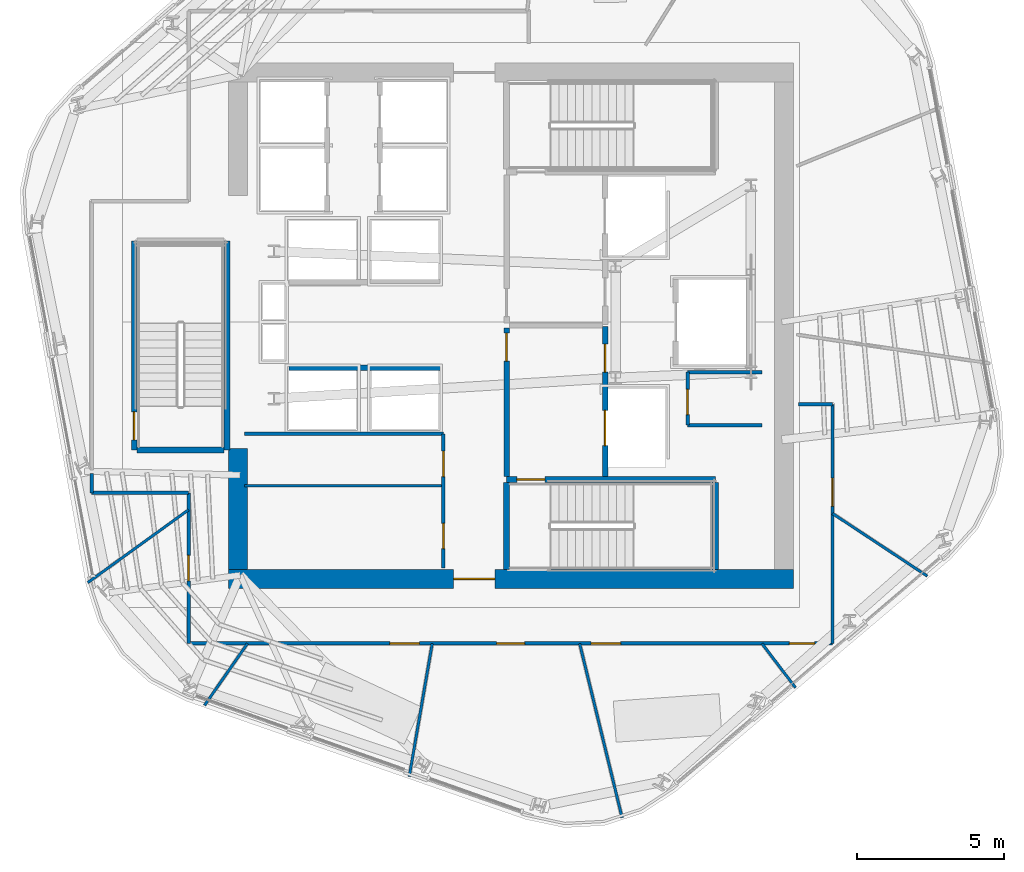
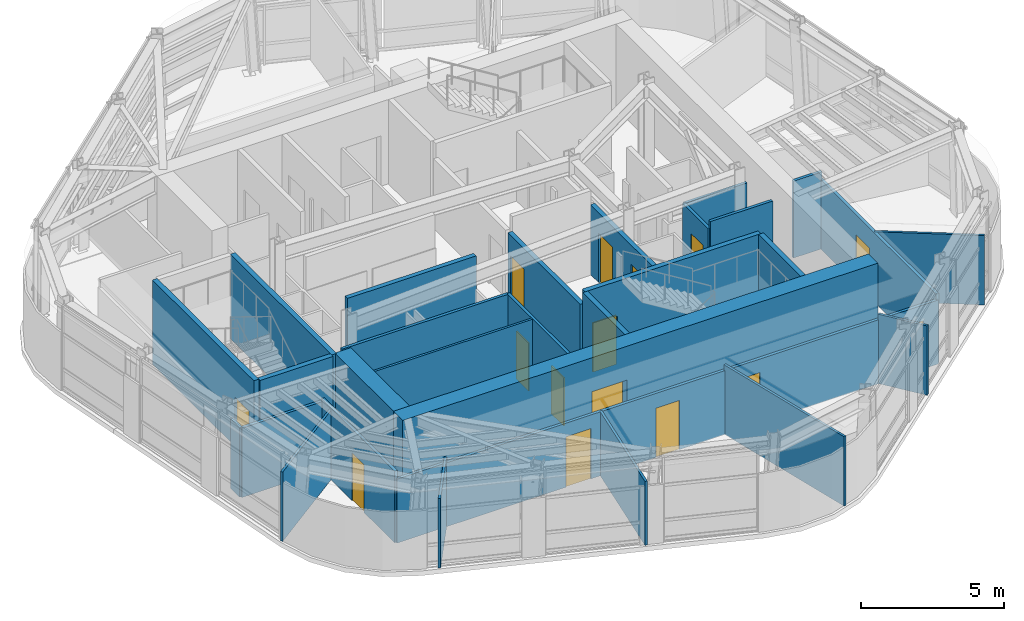
# One storey, part 7 of 14: 29 walls, 15 doors, 15 openings.
"""IFC4 building model written with IfcOpenShell, lengths in metres."""

from ifc_helpers import new_model, si_unit, direction, frame, frame_2d, origin, place, context, subcontext, project, spatial, rectangle, extrude, material, layer, layer_set, type_object, element, fill, save


model = new_model("IFC4")

# Units and contexts
model_context = context("Model", 3, precision=1e-05, world=origin(), true_north=direction((0.0, 1.0)))
body_context = subcontext(model_context, "Body", "Model", "MODEL_VIEW")
ifc_project = project(units=[si_unit("LENGTHUNIT", "METRE"), si_unit("AREAUNIT", "SQUARE_METRE"), si_unit("VOLUMEUNIT", "CUBIC_METRE"), si_unit("PLANEANGLEUNIT", "RADIAN"), si_unit("MASSUNIT", "GRAM", prefix="KILO")], contexts=[model_context])

# Site, building, storey
site_placement = place(None, origin())
site = spatial("IfcSite", under=ifc_project, at=site_placement, CompositionType="ELEMENT")
building_placement = place(site_placement, origin())
building = spatial("IfcBuilding", under=site, at=building_placement, Name="Valkerne Bourse Tower", CompositionType="ELEMENT")
storey_placement = place(building_placement, frame((0.0, 0.0, 198.0)))
storey = spatial("IfcBuildingStorey", under=building, at=storey_placement, Name="L50", CompositionType="ELEMENT", Elevation=198.0)

# Wall, opening, door
ifc_material_1 = material(Name="Concrete C55/67", Category="concrete")
ifc_layer_1 = layer(ifc_material_1, 0.64990234375)
ifc_layer_set_1 = layer_set([ifc_layer_1], Name="Concrete C55/67")
wall_type_1 = type_object("IfcWallType", Name="W-CORE-650", PredefinedType="SHEAR", material=ifc_layer_set_1)
wall_1_placement = place(storey_placement, frame((37.199951171875, 18.27490234375, 0.0), z_axis=(0.0, 0.0, 1.0), x_axis=(1.0, 0.0, 0.0)))
wall_1 = element("IfcWall", 1, at=wall_1_placement, inside=storey, type_object=wall_type_1, Name="L50 Core Shear Wall SOUTH", PredefinedType="SHEAR", context=body_context, shape_type="SweptSolid", body=[
    extrude(rectangle(XDim=19.199951171875, YDim=0.64990234375, at=frame_2d((9.60009765625, 0.0))), origin(), (0.0, 0.0, 1.0), 3.60009765625),
])
opening_1_placement = place(wall_1_placement, frame((7.64990234375, 0.0, 0.0)))
opening_1 = element("IfcOpeningElement", 2, at=opening_1_placement, cuts=wall_1, Name="Opening D-PL-1400", PredefinedType="OPENING", context=body_context, shape_type="SweptSolid", body=[
    extrude(rectangle(XDim=1.39990234375, YDim=2.14990234375, at=frame_2d((0.699951171875, 1.074951171875))), frame((0.0, 0.3349609375, 0.0), z_axis=(0.0, -1.0, 0.0), x_axis=(1.0, 0.0, 0.0)), (0.0, 0.0, 1.0), 0.669921875),
])
ifc_material_2 = material(Name="Galvanised Painted Steel", Category="steel")
door_type_1 = type_object("IfcDoorType", Name="DR-PLT-1400", OperationType="DOUBLE_DOOR_SINGLE_SWING", PredefinedType="DOOR", material=ifc_material_2)
door_1_placement = place(opening_1_placement, origin())
door_1 = element("IfcDoor", 3, at=door_1_placement, inside=storey, type_object=door_type_1, Name="L50 South Passenger Lift Hall Fire Door", OperationType="DOUBLE_DOOR_SINGLE_SWING", OverallHeight=2.14990234375, OverallWidth=1.39990234375, PredefinedType="DOOR", context=body_context, shape_type="SweptSolid", body=[
    extrude(rectangle(XDim=1.39990234375, YDim=2.14990234375, at=frame_2d((0.699951171875, 1.074951171875))), frame((0.0, 0.02490234375, 0.0), z_axis=(0.0, -1.0, 0.0), x_axis=(1.0, 0.0, 0.0)), (0.0, 0.0, 1.0), 0.050048828125),
])
fill(opening_1, door_1)

# Wall
wall_2_placement = place(storey_placement, frame((37.52490234375, 18.60009765625, 0.0), z_axis=(0.0, 0.0, 1.0), x_axis=(0.0, 1.0, 0.0)))
element("IfcWall", 4, at=wall_2_placement, inside=storey, type_object=wall_type_1, Name="L50 Core Shear Wall WEST-S", PredefinedType="SHEAR", context=body_context, shape_type="SweptSolid", body=[
    extrude(rectangle(XDim=4.099853515625, YDim=0.64990234375, at=frame_2d((2.0498046875, 0.0))), origin(), (0.0, 0.0, 1.0), 3.60009765625),
])

# Wall, openings, doors
ifc_material_3 = material(Name="Gypsum Board Steel-Stud Partition", Category="steel")
ifc_layer_2 = layer(ifc_material_3, 0.117919921875)
ifc_layer_set_2 = layer_set([ifc_layer_2], Name="Gypsum Board Steel-Stud Partition")
wall_type_2 = type_object("IfcWallType", Name="W-CORR-140", PredefinedType="PARTITIONING", material=ifc_layer_set_2)
wall_3_placement = place(storey_placement, frame((44.5, 18.64990234375, 0.0), z_axis=(0.0, 0.0, 1.0), x_axis=(0.0, 1.0, 0.0)))
wall_3 = element("IfcWall", 5, at=wall_3_placement, inside=storey, type_object=wall_type_2, Name="L50 LV7 Low-Bank East Wall", PredefinedType="PARTITIONING", context=body_context, shape_type="SweptSolid", body=[
    extrude(rectangle(XDim=4.550048828125, YDim=0.117919921875, at=frame_2d((2.27490234375, 0.0))), origin(), (0.0, 0.0, 1.0), 3.300048828125),
])
opening_2_placement = place(wall_3_placement, frame((0.64990234375, 0.0, 0.0)))
opening_2 = element("IfcOpeningElement", 6, at=opening_2_placement, cuts=wall_3, Name="Opening D-WC-900", PredefinedType="OPENING", context=body_context, shape_type="SweptSolid", body=[
    extrude(rectangle(XDim=0.860107421875, YDim=2.050048828125, at=frame_2d((0.43017578125, 1.02490234375))), frame((0.0, 0.06884765625, 0.0), z_axis=(0.0, -1.0, 0.0), x_axis=(1.0, 0.0, 0.0)), (0.0, 0.0, 1.0), 0.137939453125),
])
opening_3_placement = place(wall_3_placement, frame((3.10009765625, 0.0, 0.0)))
opening_3 = element("IfcOpeningElement", 7, at=opening_3_placement, cuts=wall_3, Name="Opening D-WC-900", PredefinedType="OPENING", context=body_context, shape_type="SweptSolid", body=[
    extrude(rectangle(XDim=0.860107421875, YDim=2.050048828125, at=frame_2d((0.43017578125, 1.02490234375))), frame((0.0, 0.06884765625, 0.0), z_axis=(0.0, -1.0, 0.0), x_axis=(1.0, 0.0, 0.0)), (0.0, 0.0, 1.0), 0.137939453125),
])
ifc_material_4 = material(Name="Architectural White Oak Timber", Category="wood")
door_type_2 = type_object("IfcDoorType", Name="DR-WC-900", OperationType="NOTDEFINED", PredefinedType="DOOR", material=ifc_material_4)
door_2_placement = place(opening_2_placement, origin())
door_2 = element("IfcDoor", 8, at=door_2_placement, inside=storey, type_object=door_type_2, Name="L50 Reprographics Office Door", OperationType="SINGLE_SWING_RIGHT", OverallHeight=2.050048828125, OverallWidth=0.860107421875, PredefinedType="DOOR", context=body_context, shape_type="SweptSolid", body=[
    extrude(rectangle(XDim=0.860107421875, YDim=2.050048828125, at=frame_2d((0.43017578125, 1.02490234375))), frame((0.0, 0.02490234375, 0.0), z_axis=(0.0, -1.0, 0.0), x_axis=(1.0, 0.0, 0.0)), (0.0, 0.0, 1.0), 0.050048828125),
])
fill(opening_2, door_2)
door_3_placement = place(opening_3_placement, origin())
door_3 = element("IfcDoor", 9, at=door_3_placement, inside=storey, type_object=door_type_2, Name="L50 First Aid Clinic Door", OperationType="SINGLE_SWING_RIGHT", OverallHeight=2.050048828125, OverallWidth=0.860107421875, PredefinedType="DOOR", context=body_context, shape_type="SweptSolid", body=[
    extrude(rectangle(XDim=0.860107421875, YDim=2.050048828125, at=frame_2d((0.43017578125, 1.02490234375))), frame((0.0, 0.02490234375, 0.0), z_axis=(0.0, -1.0, 0.0), x_axis=(1.0, 0.0, 0.0)), (0.0, 0.0, 1.0), 0.050048828125),
])
fill(opening_3, door_3)

# Wall
wall_4_placement = place(storey_placement, frame((37.75, 23.199951171875, 0.0), z_axis=(0.0, 0.0, 1.0), x_axis=(1.0, 0.0, 0.0)))
element("IfcWall", 10, at=wall_4_placement, inside=storey, type_object=wall_type_2, Name="L50 LV7 Low-Bank North Wall", PredefinedType="PARTITIONING", context=body_context, shape_type="SweptSolid", body=[
    extrude(rectangle(XDim=6.75, YDim=0.117919921875, at=frame_2d((3.375, 0.0))), origin(), (0.0, 0.0, 1.0), 3.300048828125),
])

# Wall, opening, door
wall_5_placement = place(storey_placement, frame((52.800048828125, 23.5, 0.0), z_axis=(0.0, 0.0, 1.0), x_axis=(0.0, 1.0, 0.0)))
wall_5 = element("IfcWall", 11, at=wall_5_placement, inside=storey, type_object=wall_type_2, Name="L50 Core SE North-Bay West Wall", PredefinedType="PARTITIONING", context=body_context, shape_type="SweptSolid", body=[
    extrude(rectangle(XDim=1.800048828125, YDim=0.117919921875, at=frame_2d((0.89990234375, 0.0))), origin(), (0.0, 0.0, 1.0), 2.977783203125),
])
opening_4_placement = place(wall_5_placement, frame((0.35009765625, 0.0, 0.0)))
opening_4 = element("IfcOpeningElement", 12, at=opening_4_placement, cuts=wall_5, Name="Opening D-WC-900", PredefinedType="OPENING", context=body_context, shape_type="SweptSolid", body=[
    extrude(rectangle(XDim=0.860107421875, YDim=2.050048828125, at=frame_2d((0.43017578125, 1.02490234375))), frame((0.0, 0.06884765625, 0.0), z_axis=(0.0, -1.0, 0.0), x_axis=(1.0, 0.0, 0.0)), (0.0, 0.0, 1.0), 0.137939453125),
])
door_4_placement = place(opening_4_placement, origin())
door_4 = element("IfcDoor", 13, at=door_4_placement, inside=storey, type_object=door_type_2, Name="L50 Telecom Closet Door", OperationType="SINGLE_SWING_RIGHT", OverallHeight=2.050048828125, OverallWidth=0.860107421875, PredefinedType="DOOR", context=body_context, shape_type="SweptSolid", body=[
    extrude(rectangle(XDim=0.860107421875, YDim=2.050048828125, at=frame_2d((0.43017578125, 1.02490234375))), frame((0.0, 0.02490234375, 0.0), z_axis=(0.0, -1.0, 0.0), x_axis=(1.0, 0.0, 0.0)), (0.0, 0.0, 1.0), 0.050048828125),
])
fill(opening_4, door_4)

# Walls
wall_6_placement = place(storey_placement, frame((52.800048828125, 23.5, 0.0), z_axis=(0.0, 0.0, 1.0), x_axis=(1.0, 0.0, 0.0)))
element("IfcWall", 14, at=wall_6_placement, inside=storey, type_object=wall_type_2, Name="L50 Core SE North-Bay South Wall", PredefinedType="PARTITIONING", context=body_context, shape_type="SweptSolid", body=[
    extrude(rectangle(XDim=2.52001953125, YDim=0.117919921875, at=frame_2d((1.260009765625, 0.0))), origin(), (0.0, 0.0, 1.0), 3.300048828125),
])
wall_7_placement = place(storey_placement, frame((52.800048828125, 25.300048828125, 0.0), z_axis=(0.0, 0.0, 1.0), x_axis=(1.0, 0.0, 0.0)))
element("IfcWall", 15, at=wall_7_placement, inside=storey, type_object=wall_type_2, Name="L50 Core SE North-Bay North Wall", PredefinedType="PARTITIONING", context=body_context, shape_type="SweptSolid", body=[
    extrude(rectangle(XDim=2.52001953125, YDim=0.117919921875, at=frame_2d((1.260009765625, 0.0))), origin(), (0.0, 0.0, 1.0), 2.977783203125),
])

# Wall, opening, door
wall_8_placement = place(storey_placement, frame((35.85009765625, 16.080078125, 0.0), z_axis=(0.0, 0.0, 1.0), x_axis=(0.0, 1.0, 0.0)))
wall_8 = element("IfcWall", 16, at=wall_8_placement, inside=storey, type_object=wall_type_2, Name="L50 Corridor Enclosure Wall", PredefinedType="PARTITIONING", context=body_context, shape_type="SweptSolid", body=[
    extrude(rectangle(XDim=5.119873046875, YDim=0.117919921875, at=frame_2d((2.56005859375, 0.0))), origin(), (0.0, 0.0, 1.0), 3.056640625),
])
opening_5_placement = place(wall_8_placement, frame((2.1298828125, 0.0, 0.0)))
opening_5 = element("IfcOpeningElement", 17, at=opening_5_placement, cuts=wall_8, Name="Opening D-WC-900", PredefinedType="OPENING", context=body_context, shape_type="SweptSolid", body=[
    extrude(rectangle(XDim=0.860107421875, YDim=2.050048828125, at=frame_2d((0.43017578125, 1.02490234375))), frame((0.0, 0.06884765625, 0.0), z_axis=(0.0, -1.0, 0.0), x_axis=(1.0, 0.0, 0.0)), (0.0, 0.0, 1.0), 0.137939453125),
])
door_5_placement = place(opening_5_placement, origin())
door_5 = element("IfcDoor", 18, at=door_5_placement, inside=storey, type_object=door_type_2, Name="L50 L50 Women Restroom & Shower WC 2 Door", OperationType="SINGLE_SWING_RIGHT", OverallHeight=2.050048828125, OverallWidth=0.860107421875, PredefinedType="DOOR", context=body_context, shape_type="SweptSolid", body=[
    extrude(rectangle(XDim=0.860107421875, YDim=2.050048828125, at=frame_2d((0.43017578125, 1.02490234375))), frame((0.0, 0.02490234375, 0.0), z_axis=(0.0, -1.0, 0.0), x_axis=(1.0, 0.0, 0.0)), (0.0, 0.0, 1.0), 0.050048828125),
])
fill(opening_5, door_5)

# Walls
wall_9_placement = place(storey_placement, frame((35.85009765625, 21.199951171875, 0.0), z_axis=(0.0, 0.0, 1.0), x_axis=(-1.0, 0.0, 0.0)))
element("IfcWall", 19, at=wall_9_placement, inside=storey, type_object=wall_type_2, Name="L50 Corridor Enclosure Wall", PredefinedType="PARTITIONING", context=body_context, shape_type="SweptSolid", body=[
    extrude(rectangle(XDim=3.300048828125, YDim=0.117919921875, at=frame_2d((1.64990234375, 0.0))), origin(), (0.0, 0.0, 1.0), 2.962646484375),
])
wall_10_placement = place(storey_placement, frame((32.550048828125, 21.199951171875, 0.0), z_axis=(0.0, 0.0, 1.0), x_axis=(0.0, 1.0, 0.0)))
element("IfcWall", 20, at=wall_10_placement, inside=storey, type_object=wall_type_2, Name="L50 Corridor Enclosure Wall", PredefinedType="PARTITIONING", context=body_context, shape_type="SweptSolid", body=[
    extrude(rectangle(XDim=0.648193359375, YDim=0.117919921875, at=frame_2d((0.32421875, 0.0))), origin(), (0.0, 0.0, 1.0), 2.962646484375),
])
wall_11_placement = place(storey_placement, frame((56.56005859375, 24.199951171875, 0.0), z_axis=(0.0, 0.0, 1.0), x_axis=(1.0, 0.0, 0.0)))
element("IfcWall", 21, at=wall_11_placement, inside=storey, type_object=wall_type_2, Name="L50 Corridor Enclosure Wall", PredefinedType="PARTITIONING", context=body_context, shape_type="SweptSolid", body=[
    extrude(rectangle(XDim=1.159912109375, YDim=0.117919921875, at=frame_2d((0.580078125, 0.0))), origin(), (0.0, 0.0, 1.0), 3.280029296875),
])

# Wall, opening, door
wall_12_placement = place(storey_placement, frame((57.719970703125, 24.199951171875, 0.0), z_axis=(0.0, 0.0, 1.0), x_axis=(0.0, -1.0, 0.0)))
wall_12 = element("IfcWall", 22, at=wall_12_placement, inside=storey, type_object=wall_type_2, Name="L50 Corridor Enclosure Wall", PredefinedType="PARTITIONING", context=body_context, shape_type="SweptSolid", body=[
    extrude(rectangle(XDim=8.119873046875, YDim=0.117919921875, at=frame_2d((4.06005859375, 0.0))), origin(), (0.0, 0.0, 1.0), 2.962646484375),
])
opening_6_placement = place(wall_12_placement, frame((2.5048828125, 0.0, 0.0)))
opening_6 = element("IfcOpeningElement", 23, at=opening_6_placement, cuts=wall_12, Name="Opening D-OF-950", PredefinedType="OPENING", context=body_context, shape_type="SweptSolid", body=[
    extrude(rectangle(XDim=0.949951171875, YDim=2.10009765625, at=frame_2d((0.47509765625, 1.050048828125))), frame((0.0, 0.06884765625, 0.0), z_axis=(0.0, -1.0, 0.0), x_axis=(1.0, 0.0, 0.0)), (0.0, 0.0, 1.0), 0.137939453125),
])
door_type_3 = type_object("IfcDoorType", Name="DR-OFF-950", OperationType="NOTDEFINED", PredefinedType="DOOR", material=ifc_material_4)
door_6_placement = place(opening_6_placement, origin())
door_6 = element("IfcDoor", 24, at=door_6_placement, inside=storey, type_object=door_type_3, Name="L50 L50 Occupational Wellness Clinic 6 Door", OperationType="SINGLE_SWING_LEFT", OverallHeight=2.10009765625, OverallWidth=0.949951171875, PredefinedType="DOOR", context=body_context, shape_type="SweptSolid", body=[
    extrude(rectangle(XDim=0.949951171875, YDim=2.10009765625, at=frame_2d((0.47509765625, 1.050048828125))), frame((0.0, 0.02490234375, 0.0), z_axis=(0.0, -1.0, 0.0), x_axis=(1.0, 0.0, 0.0)), (0.0, 0.0, 1.0), 0.050048828125),
])
fill(opening_6, door_6)

# Wall, openings, doors
wall_13_placement = place(storey_placement, frame((57.719970703125, 16.080078125, 0.0), z_axis=(0.0, 0.0, 1.0), x_axis=(-1.0, 0.0, 0.0)))
wall_13 = element("IfcWall", 25, at=wall_13_placement, inside=storey, type_object=wall_type_2, Name="L50 Corridor Enclosure Wall", PredefinedType="PARTITIONING", context=body_context, shape_type="SweptSolid", body=[
    extrude(rectangle(XDim=21.869873046875, YDim=0.117919921875, at=frame_2d((10.93505859375, 0.0))), origin(), (0.0, 0.0, 1.0), 2.7314453125),
])
opening_7_placement = place(wall_13_placement, frame((0.60498046875, 0.0, 0.0)))
opening_7 = element("IfcOpeningElement", 26, at=opening_7_placement, cuts=wall_13, Name="Opening D-WC-900", PredefinedType="OPENING", context=body_context, shape_type="SweptSolid", body=[
    extrude(rectangle(XDim=0.860107421875, YDim=2.050048828125, at=frame_2d((0.43017578125, 1.02490234375))), frame((0.0, 0.06884765625, 0.0), z_axis=(0.0, -1.0, 0.0), x_axis=(1.0, 0.0, 0.0)), (0.0, 0.0, 1.0), 0.137939453125),
])
opening_8_placement = place(wall_13_placement, frame((14.034912109375, 0.0, 0.0)))
opening_8 = element("IfcOpeningElement", 27, at=opening_8_placement, cuts=wall_13, Name="Opening D-MG-1000", PredefinedType="OPENING", context=body_context, shape_type="SweptSolid", body=[
    extrude(rectangle(XDim=1.0, YDim=2.14990234375, at=frame_2d((0.5, 1.074951171875))), frame((0.0, 0.06884765625, 0.0), z_axis=(0.0, -1.0, 0.0), x_axis=(1.0, 0.0, 0.0)), (0.0, 0.0, 1.0), 0.137939453125),
])
opening_9_placement = place(wall_13_placement, frame((7.195068359375, 0.0, 0.0)))
opening_9 = element("IfcOpeningElement", 28, at=opening_9_placement, cuts=wall_13, Name="Opening D-MG-1000", PredefinedType="OPENING", context=body_context, shape_type="SweptSolid", body=[
    extrude(rectangle(XDim=1.0, YDim=2.14990234375, at=frame_2d((0.5, 1.074951171875))), frame((0.0, 0.06884765625, 0.0), z_axis=(0.0, -1.0, 0.0), x_axis=(1.0, 0.0, 0.0)), (0.0, 0.0, 1.0), 0.137939453125),
])
opening_10_placement = place(wall_13_placement, frame((10.4599609375, 0.0, 0.0)))
opening_10 = element("IfcOpeningElement", 29, at=opening_10_placement, cuts=wall_13, Name="Opening D-OF-950", PredefinedType="OPENING", context=body_context, shape_type="SweptSolid", body=[
    extrude(rectangle(XDim=0.949951171875, YDim=2.10009765625, at=frame_2d((0.47509765625, 1.050048828125))), frame((0.0, 0.06884765625, 0.0), z_axis=(0.0, -1.0, 0.0), x_axis=(1.0, 0.0, 0.0)), (0.0, 0.0, 1.0), 0.137939453125),
])
ifc_material_5 = material(Name="Laminated Tempered Safety Glass", Category="glass")
door_type_4 = type_object("IfcDoorType", Name="DR-MTG-1000", OperationType="NOTDEFINED", PredefinedType="DOOR", material=ifc_material_5)
door_7_placement = place(opening_8_placement, origin())
door_7 = element("IfcDoor", 30, at=door_7_placement, inside=storey, type_object=door_type_4, Name="L50 L50 Client Strategy Conference Room 3 Door", OperationType="SINGLE_SWING_RIGHT", OverallHeight=2.14990234375, OverallWidth=1.0, PredefinedType="DOOR", context=body_context, shape_type="SweptSolid", body=[
    extrude(rectangle(XDim=1.0, YDim=2.14990234375, at=frame_2d((0.5, 1.074951171875))), frame((0.0, 0.02490234375, 0.0), z_axis=(0.0, -1.0, 0.0), x_axis=(1.0, 0.0, 0.0)), (0.0, 0.0, 1.0), 0.050048828125),
])
fill(opening_8, door_7)
door_8_placement = place(opening_9_placement, origin())
door_8 = element("IfcDoor", 31, at=door_8_placement, inside=storey, type_object=door_type_4, Name="L50 L50 Client Strategy Conference Room 4 Door", OperationType="SINGLE_SWING_RIGHT", OverallHeight=2.14990234375, OverallWidth=1.0, PredefinedType="DOOR", context=body_context, shape_type="SweptSolid", body=[
    extrude(rectangle(XDim=1.0, YDim=2.14990234375, at=frame_2d((0.5, 1.074951171875))), frame((0.0, 0.02490234375, 0.0), z_axis=(0.0, -1.0, 0.0), x_axis=(1.0, 0.0, 0.0)), (0.0, 0.0, 1.0), 0.050048828125),
])
fill(opening_9, door_8)
door_9_placement = place(opening_10_placement, origin())
door_9 = element("IfcDoor", 32, at=door_9_placement, inside=storey, type_object=door_type_3, Name="L50 L50 Occupational Wellness Clinic 5 Door", OperationType="SINGLE_SWING_LEFT", OverallHeight=2.10009765625, OverallWidth=0.949951171875, PredefinedType="DOOR", context=body_context, shape_type="SweptSolid", body=[
    extrude(rectangle(XDim=0.949951171875, YDim=2.10009765625, at=frame_2d((0.47509765625, 1.050048828125))), frame((0.0, 0.02490234375, 0.0), z_axis=(0.0, -1.0, 0.0), x_axis=(1.0, 0.0, 0.0)), (0.0, 0.0, 1.0), 0.050048828125),
])
fill(opening_10, door_9)
door_10_placement = place(opening_7_placement, origin())
door_10 = element("IfcDoor", 33, at=door_10_placement, inside=storey, type_object=door_type_2, Name="L50 L50 Men Bathroom WC 1 Door", OperationType="SINGLE_SWING_RIGHT", OverallHeight=2.050048828125, OverallWidth=0.860107421875, PredefinedType="DOOR", context=body_context, shape_type="SweptSolid", body=[
    extrude(rectangle(XDim=0.860107421875, YDim=2.050048828125, at=frame_2d((0.43017578125, 1.02490234375))), frame((0.0, 0.02490234375, 0.0), z_axis=(0.0, -1.0, 0.0), x_axis=(1.0, 0.0, 0.0)), (0.0, 0.0, 1.0), 0.050048828125),
])
fill(opening_7, door_10)

# Wall, opening, door
ifc_material_6 = material(Name="Gypsum Fire-Rated Shaftwall", Category="gypsum")
ifc_layer_3 = layer(ifc_material_6, 0.179931640625)
ifc_layer_set_3 = layer_set([ifc_layer_3], Name="Gypsum Fire-Rated Shaftwall")
wall_type_3 = type_object("IfcWallType", Name="W-FSAE-180", PredefinedType="PARTITIONING", material=ifc_layer_set_3)
wall_14_placement = place(storey_placement, frame((46.64990234375, 21.75, 0.0), z_axis=(0.0, 0.0, 1.0), x_axis=(0.0, 1.0, 0.0)))
wall_14 = element("IfcWall", 34, at=wall_14_placement, inside=storey, type_object=wall_type_3, Name="L50 FSAE-1 Lobby West Fire Wall", PredefinedType="PARTITIONING", context=body_context, shape_type="SweptSolid", body=[
    extrude(rectangle(XDim=5.050048828125, YDim=0.179931640625, at=frame_2d((2.52490234375, 0.0))), origin(), (0.0, 0.0, 1.0), 2.977783203125),
])
opening_11_placement = place(wall_14_placement, frame((3.919921875, 0.0, 0.0)))
opening_11 = element("IfcOpeningElement", 35, at=opening_11_placement, cuts=wall_14, Name="Opening D-FS-950", PredefinedType="OPENING", context=body_context, shape_type="SweptSolid", body=[
    extrude(rectangle(XDim=0.949951171875, YDim=2.10009765625, at=frame_2d((0.47509765625, 1.050048828125))), frame((0.0, 0.099853515625, 0.0), z_axis=(0.0, -1.0, 0.0), x_axis=(1.0, 0.0, 0.0)), (0.0, 0.0, 1.0), 0.199951171875),
])
door_type_5 = type_object("IfcDoorType", Name="DR-FSAE-950", OperationType="NOTDEFINED", PredefinedType="DOOR", material=ifc_material_2)
door_11_placement = place(opening_11_placement, origin())
door_11 = element("IfcDoor", 36, at=door_11_placement, inside=storey, type_object=door_type_5, Name="L50 FSAE-1 Hall Link Fire Door", OperationType="SINGLE_SWING_LEFT", OverallHeight=2.10009765625, OverallWidth=0.949951171875, PredefinedType="DOOR", context=body_context, shape_type="SweptSolid", body=[
    extrude(rectangle(XDim=0.949951171875, YDim=2.10009765625, at=frame_2d((0.47509765625, 1.050048828125))), frame((0.0, 0.02490234375, 0.0), z_axis=(0.0, -1.0, 0.0), x_axis=(1.0, 0.0, 0.0)), (0.0, 0.0, 1.0), 0.050048828125),
])
fill(opening_11, door_11)

# Wall, openings, doors
wall_15_placement = place(storey_placement, frame((50.0, 21.75, 0.0), z_axis=(0.0, 0.0, 1.0), x_axis=(0.0, 1.0, 0.0)))
wall_15 = element("IfcWall", 37, at=wall_15_placement, inside=storey, type_object=wall_type_3, Name="L50 FSAE-1 Lobby & Shaft Front Wall", PredefinedType="PARTITIONING", context=body_context, shape_type="SweptSolid", body=[
    extrude(rectangle(XDim=5.090087890625, YDim=0.179931640625, at=frame_2d((2.544921875, 0.0))), origin(), (0.0, 0.0, 1.0), 2.977783203125),
])
opening_12_placement = place(wall_15_placement, frame((1.050048828125, 0.0, 0.0)))
opening_12 = element("IfcOpeningElement", 38, at=opening_12_placement, cuts=wall_15, Name="Opening LD-1200", PredefinedType="OPENING", context=body_context, shape_type="SweptSolid", body=[
    extrude(rectangle(XDim=1.199951171875, YDim=2.14990234375, at=frame_2d((0.60009765625, 1.074951171875))), frame((0.0, 0.099853515625, 0.0), z_axis=(0.0, -1.0, 0.0), x_axis=(1.0, 0.0, 0.0)), (0.0, 0.0, 1.0), 0.199951171875),
])
opening_13_placement = place(wall_15_placement, frame((3.550048828125, 0.0, 0.0)))
opening_13 = element("IfcOpeningElement", 39, at=opening_13_placement, cuts=wall_15, Name="Opening D-FS-950", PredefinedType="OPENING", context=body_context, shape_type="SweptSolid", body=[
    extrude(rectangle(XDim=0.949951171875, YDim=2.10009765625, at=frame_2d((0.47509765625, 1.050048828125))), frame((0.0, 0.099853515625, 0.0), z_axis=(0.0, -1.0, 0.0), x_axis=(1.0, 0.0, 0.0)), (0.0, 0.0, 1.0), 0.199951171875),
])
door_12_placement = place(opening_13_placement, origin())
door_12 = element("IfcDoor", 40, at=door_12_placement, inside=storey, type_object=door_type_5, Name="L50 FSAE-1 Lobby Corridor Fire Door", OperationType="SINGLE_SWING_LEFT", OverallHeight=2.10009765625, OverallWidth=0.949951171875, PredefinedType="DOOR", context=body_context, shape_type="SweptSolid", body=[
    extrude(rectangle(XDim=0.949951171875, YDim=2.10009765625, at=frame_2d((0.47509765625, 1.050048828125))), frame((0.0, 0.02490234375, 0.0), z_axis=(0.0, -1.0, 0.0), x_axis=(1.0, 0.0, 0.0)), (0.0, 0.0, 1.0), 0.050048828125),
])
fill(opening_13, door_12)
ifc_material_7 = material(Name="Stainless Steel AISI 316", Category="steel")
door_type_6 = type_object("IfcDoorType", Name="DR-LIFT-1200", OperationType="DOUBLE_DOOR_SLIDING", PredefinedType="DOOR", material=ifc_material_7)
door_13_placement = place(opening_12_placement, origin())
door_13 = element("IfcDoor", 41, at=door_13_placement, inside=storey, type_object=door_type_6, Name="L50 FSAE-1 Firefighting Lift Landing Door", OperationType="DOUBLE_DOOR_SLIDING", OverallHeight=2.14990234375, OverallWidth=1.199951171875, PredefinedType="DOOR", context=body_context, shape_type="SweptSolid", body=[
    extrude(rectangle(XDim=1.199951171875, YDim=2.14990234375, at=frame_2d((0.60009765625, 1.074951171875))), frame((0.0, 0.02490234375, 0.0), z_axis=(0.0, -1.0, 0.0), x_axis=(1.0, 0.0, 0.0)), (0.0, 0.0, 1.0), 0.050048828125),
])
fill(opening_12, door_13)

# Walls
ifc_material_8 = material(Name="CMU Blockwork Masonry 200mm", Category="masonry")
ifc_layer_4 = layer(ifc_material_8, 0.179931640625)
ifc_layer_set_4 = layer_set([ifc_layer_4], Name="CMU Blockwork Masonry 200mm")
wall_type_4 = type_object("IfcWallType", Name="W-LFT-180", PredefinedType="SOLIDWALL", material=ifc_layer_set_4)
wall_16_placement = place(storey_placement, frame((39.25, 25.449951171875, 0.0), z_axis=(0.0, 0.0, 1.0), x_axis=(1.0, 0.0, 0.0)))
element("IfcWall", 42, at=wall_16_placement, inside=storey, type_object=wall_type_4, Name="L50 High-Zone South Cars Front Wall", PredefinedType="SOLIDWALL", context=body_context, shape_type="SweptSolid", body=[
    extrude(rectangle(XDim=5.199951171875, YDim=0.179931640625, at=frame_2d((2.60009765625, 0.0))), origin(), (0.0, 0.0, 1.0), 3.60009765625),
])
ifc_layer_5 = layer(ifc_material_3, 0.092041015625)
ifc_layer_set_5 = layer_set([ifc_layer_5], Name="Gypsum Board Steel-Stud Partition")
wall_type_5 = type_object("IfcWallType", Name="W-PART-115", PredefinedType="PARTITIONING", material=ifc_layer_set_5)
wall_17_placement = place(storey_placement, frame((37.75, 21.43994140625, 0.0), z_axis=(0.0, 0.0, 1.0), x_axis=(1.0, 0.0, 0.0)))
element("IfcWall", 43, at=wall_17_placement, inside=storey, type_object=wall_type_5, Name="L50 LV7 Low-Bank Sub-Divider", PredefinedType="PARTITIONING", context=body_context, shape_type="SweptSolid", body=[
    extrude(rectangle(XDim=6.75, YDim=0.092041015625, at=frame_2d((3.375, 0.0))), origin(), (0.0, 0.0, 1.0), 3.300048828125),
])
wall_18_placement = place(storey_placement, frame((44.122802734375, 16.074951171875, 0.0), z_axis=(0.0, 0.0, 1.0), x_axis=(-0.170197497501, -0.985409971456, 0.0)))
element("IfcWall", 44, at=wall_18_placement, inside=storey, type_object=wall_type_5, Name="L50 Suite Partition P01", PredefinedType="PARTITIONING", context=body_context, shape_type="SweptSolid", body=[
    extrude(rectangle(XDim=4.5859375, YDim=0.092041015625, at=frame_2d((2.29296875, 0.0))), origin(), (0.0, 0.0, 1.0), 2.7314453125),
])
wall_19_placement = place(storey_placement, frame((49.13134765625, 16.074951171875, 0.0), z_axis=(0.0, 0.0, 1.0), x_axis=(0.236827755443, -0.9715516529, 0.0)))
element("IfcWall", 45, at=wall_19_placement, inside=storey, type_object=wall_type_5, Name="L50 Suite Partition P02", PredefinedType="PARTITIONING", context=body_context, shape_type="SweptSolid", body=[
    extrude(rectangle(XDim=6.083251953125, YDim=0.092041015625, at=frame_2d((3.04150390625, 0.0))), origin(), (0.0, 0.0, 1.0), 2.962646484375),
])
wall_20_placement = place(storey_placement, frame((55.327392578125, 16.074951171875, 0.0), z_axis=(0.0, 0.0, 1.0), x_axis=(0.604654202397, -0.796488101307, 0.0)))
element("IfcWall", 46, at=wall_20_placement, inside=storey, type_object=wall_type_5, Name="L50 Suite Partition P03", PredefinedType="PARTITIONING", context=body_context, shape_type="SweptSolid", body=[
    extrude(rectangle(XDim=1.8759765625, YDim=0.092041015625, at=frame_2d((0.93798828125, 0.0))), origin(), (0.0, 0.0, 1.0), 2.962646484375),
])
wall_21_placement = place(storey_placement, frame((57.72509765625, 20.4912109375, 0.0), z_axis=(0.0, 0.0, 1.0), x_axis=(0.83453716298, -0.550951652693, 0.0)))
element("IfcWall", 47, at=wall_21_placement, inside=storey, type_object=wall_type_5, Name="L50 Suite Partition P04", PredefinedType="PARTITIONING", context=body_context, shape_type="SweptSolid", body=[
    extrude(rectangle(XDim=3.853515625, YDim=0.092041015625, at=frame_2d((1.9267578125, 0.0))), origin(), (0.0, 0.0, 1.0), 2.962646484375),
])
wall_22_placement = place(storey_placement, frame((35.844970703125, 20.6201171875, 0.0), z_axis=(0.0, 0.0, 1.0), x_axis=(-0.810621313014, -0.585570736023, 0.0)))
element("IfcWall", 48, at=wall_22_placement, inside=storey, type_object=wall_type_5, Name="L50 Suite Partition P09", PredefinedType="PARTITIONING", context=body_context, shape_type="SweptSolid", body=[
    extrude(rectangle(XDim=4.224365234375, YDim=0.092041015625, at=frame_2d((2.1123046875, 0.0))), origin(), (0.0, 0.0, 1.0), 2.962646484375),
])
wall_23_placement = place(storey_placement, frame((37.845458984375, 16.074951171875, 0.0), z_axis=(0.0, 0.0, 1.0), x_axis=(-0.570582256267, -0.821240457377, 0.0)))
element("IfcWall", 49, at=wall_23_placement, inside=storey, type_object=wall_type_5, Name="L50 Suite Partition P10", PredefinedType="PARTITIONING", context=body_context, shape_type="SweptSolid", body=[
    extrude(rectangle(XDim=2.5517578125, YDim=0.092041015625, at=frame_2d((1.27587890625, 0.0))), origin(), (0.0, 0.0, 1.0), 2.962646484375),
])

# Wall, opening, door
ifc_material_9 = material(Name="Concrete C40/50", Category="concrete")
ifc_layer_6 = layer(ifc_material_9, 0.199951171875)
ifc_layer_set_6 = layer_set([ifc_layer_6], Name="Concrete C40/50")
wall_type_6 = type_object("IfcWallType", Name="W-SHF-200", PredefinedType="SHEAR", material=ifc_layer_set_6)
wall_24_placement = place(storey_placement, frame((46.64990234375, 21.64990234375, 0.0), z_axis=(0.0, 0.0, 1.0), x_axis=(1.0, 0.0, 0.0)))
wall_24 = element("IfcWall", 50, at=wall_24_placement, inside=storey, type_object=wall_type_6, Name="L50 Exit Stair ST-1 Structural Shaft Wall North", PredefinedType="SHEAR", context=body_context, shape_type="SweptSolid", body=[
    extrude(rectangle(XDim=7.10009765625, YDim=0.199951171875, at=frame_2d((3.550048828125, 0.0))), origin(), (0.0, 0.0, 1.0), 3.60009765625),
])
opening_14_placement = place(wall_24_placement, frame((0.35009765625, 0.0, 0.0)))
opening_14 = element("IfcOpeningElement", 51, at=opening_14_placement, cuts=wall_24, Name="Opening D-ST-950", PredefinedType="OPENING", context=body_context, shape_type="SweptSolid", body=[
    extrude(rectangle(XDim=0.949951171875, YDim=2.10009765625, at=frame_2d((0.47509765625, 1.050048828125))), frame((0.0, 0.10986328125, 0.0), z_axis=(0.0, -1.0, 0.0), x_axis=(1.0, 0.0, 0.0)), (0.0, 0.0, 1.0), 0.219970703125),
])
door_type_7 = type_object("IfcDoorType", Name="DR-STAIR-950", OperationType="NOTDEFINED", PredefinedType="DOOR", material=ifc_material_2)
door_14_placement = place(opening_14_placement, origin())
door_14 = element("IfcDoor", 52, at=door_14_placement, inside=storey, type_object=door_type_7, Name="L50 Exit Stair ST-1 Door", OperationType="SINGLE_SWING_LEFT", OverallHeight=2.10009765625, OverallWidth=0.949951171875, PredefinedType="DOOR", context=body_context, shape_type="SweptSolid", body=[
    extrude(rectangle(XDim=0.949951171875, YDim=2.10009765625, at=frame_2d((0.47509765625, 1.050048828125))), frame((0.0, 0.02490234375, 0.0), z_axis=(0.0, -1.0, 0.0), x_axis=(1.0, 0.0, 0.0)), (0.0, 0.0, 1.0), 0.050048828125),
])
fill(opening_14, door_14)

# Walls
for number, where, z_axis, x_axis, name in (
    (53, (46.64990234375, 18.60009765625, 0.0), (0.0, 0.0, 1.0), (0.0, 1.0, 0.0), "L50 Exit Stair ST-1 Structural Shaft Wall West"),
    (54, (53.75, 18.60009765625, 0.0), (0.0, 0.0, 1.0), (0.0, 1.0, 0.0), "L50 Exit Stair ST-1 Structural Shaft Wall East"),
):
    element("IfcWall", number, at=place(storey_placement, frame(where, z_axis=z_axis, x_axis=x_axis)), inside=storey, type_object=wall_type_6, Name=name, PredefinedType="SHEAR", context=body_context, shape_type="SweptSolid", body=[
        extrude(rectangle(XDim=2.949951171875, YDim=0.199951171875, at=frame_2d((1.47509765625, 0.0))), origin(), (0.0, 0.0, 1.0), 3.60009765625),
    ])

# Wall, opening, door
wall_25_placement = place(storey_placement, frame((34.0, 22.64990234375, 0.0), z_axis=(0.0, 0.0, 1.0), x_axis=(0.0, 1.0, 0.0)))
wall_25 = element("IfcWall", 55, at=wall_25_placement, inside=storey, type_object=wall_type_6, Name="L50 Exit Stair ST-3 Structural Shaft Wall West", PredefinedType="SHEAR", context=body_context, shape_type="SweptSolid", body=[
    extrude(rectangle(XDim=7.10009765625, YDim=0.199951171875, at=frame_2d((3.550048828125, 0.0))), origin(), (0.0, 0.0, 1.0), 3.60009765625),
])
opening_15_placement = place(wall_25_placement, frame((0.35009765625, 0.0, 0.0)))
opening_15 = element("IfcOpeningElement", 56, at=opening_15_placement, cuts=wall_25, Name="Opening D-ST-950", PredefinedType="OPENING", context=body_context, shape_type="SweptSolid", body=[
    extrude(rectangle(XDim=0.949951171875, YDim=2.10009765625, at=frame_2d((0.47509765625, 1.050048828125))), frame((0.0, 0.10986328125, 0.0), z_axis=(0.0, -1.0, 0.0), x_axis=(1.0, 0.0, 0.0)), (0.0, 0.0, 1.0), 0.219970703125),
])
door_15_placement = place(opening_15_placement, origin())
door_15 = element("IfcDoor", 57, at=door_15_placement, inside=storey, type_object=door_type_7, Name="L50 Exit Stair ST-3 Door", OperationType="SINGLE_SWING_LEFT", OverallHeight=2.10009765625, OverallWidth=0.949951171875, PredefinedType="DOOR", context=body_context, shape_type="SweptSolid", body=[
    extrude(rectangle(XDim=0.949951171875, YDim=2.10009765625, at=frame_2d((0.47509765625, 1.050048828125))), frame((0.0, 0.02490234375, 0.0), z_axis=(0.0, -1.0, 0.0), x_axis=(1.0, 0.0, 0.0)), (0.0, 0.0, 1.0), 0.050048828125),
])
fill(opening_15, door_15)

# Walls
wall_26_placement = place(storey_placement, frame((34.10009765625, 22.64990234375, 0.0), z_axis=(0.0, 0.0, 1.0), x_axis=(1.0, 0.0, 0.0)))
element("IfcWall", 58, at=wall_26_placement, inside=storey, type_object=wall_type_6, Name="L50 Exit Stair ST-3 Structural Shaft Wall South", PredefinedType="SHEAR", context=body_context, shape_type="SweptSolid", body=[
    extrude(rectangle(XDim=2.949951171875, YDim=0.199951171875, at=frame_2d((1.47509765625, 0.0))), origin(), (0.0, 0.0, 1.0), 3.60009765625),
])
wall_27_placement = place(storey_placement, frame((37.14990234375, 22.64990234375, 0.0), z_axis=(0.0, 0.0, 1.0), x_axis=(0.0, 1.0, 0.0)))
element("IfcWall", 59, at=wall_27_placement, inside=storey, type_object=wall_type_6, Name="L50 Exit Stair ST-3 Structural Shaft Wall East", PredefinedType="SHEAR", context=body_context, shape_type="SweptSolid", body=[
    extrude(rectangle(XDim=7.10009765625, YDim=0.199951171875, at=frame_2d((3.550048828125, 0.0))), origin(), (0.0, 0.0, 1.0), 3.60009765625),
])

save(model, "model.ifc")
